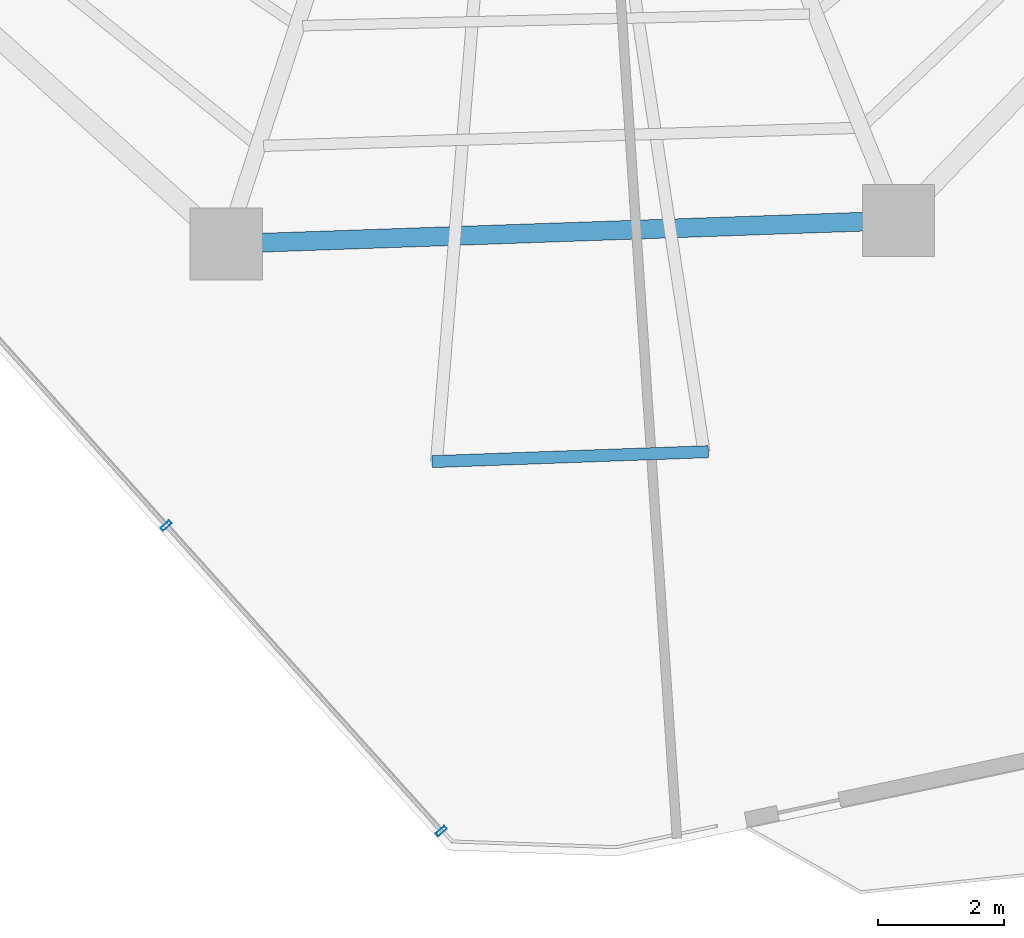
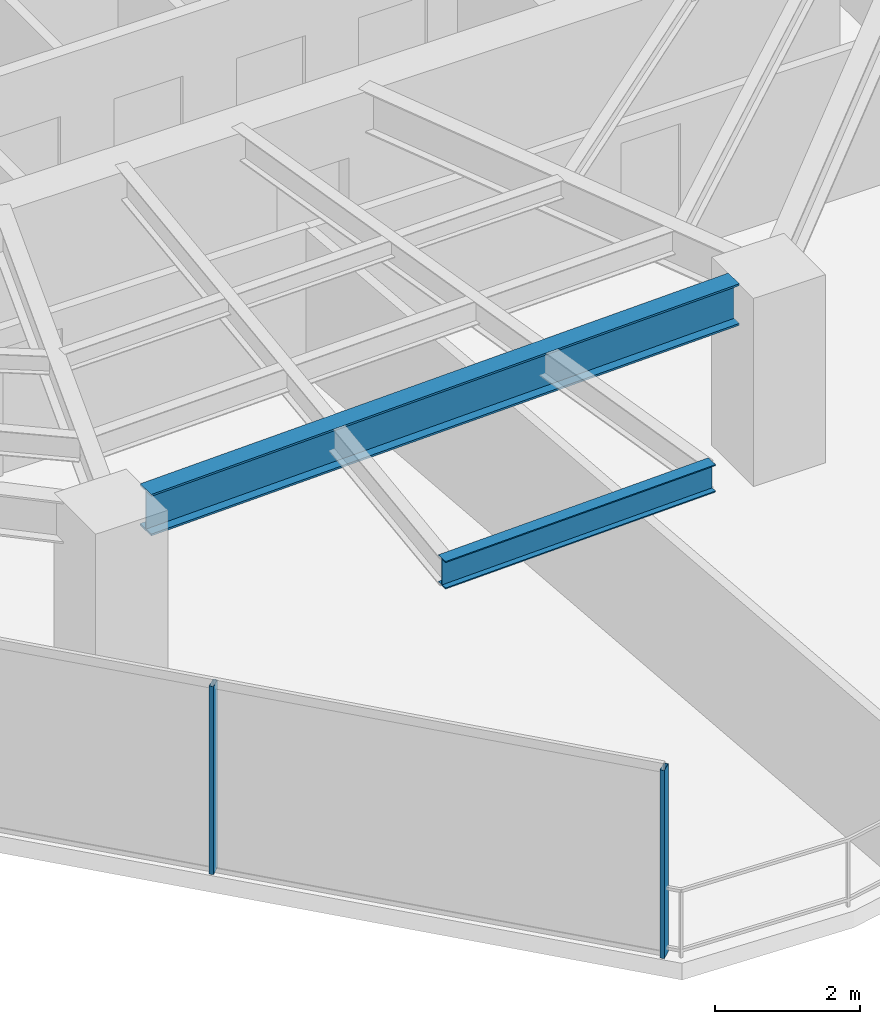
# One storey, part 5 of 27: 2 beams, 2 members, 1 element without a shape of its own.
"""IFC4 building model written with IfcOpenShell, lengths in metres."""

import ifcopenshell
import ifcopenshell.guid

model = None  # the IFC model being written
_history = None  # IfcOwnerHistory: only IFC2X3 demands one
_inside = {}  # id of a spatial element -> (the spatial element, [elements in it])
_under = {}  # id of a project, library or spatial element -> (it, [spatial elements below it])
_declared = {}  # id of a project -> (the project, [libraries it declares])
_typed = {}  # id of a type object -> (the type object, [elements of that type])
_made_of = {}  # id of a material, layer set ... -> (it, [elements and type objects made of it])


def new_model(schema):
    """Start an empty IFC model of exactly this schema.

    Asked for "IFC4X3", IfcOpenShell would pick the latest addendum, in which some entities
    have other attributes; the version numbers below select the first issue.
    IFC2X3 requires an IfcOwnerHistory on every rooted entity: one is made here for all.
    """
    global model, _history
    if schema == "IFC4X3":
        model = ifcopenshell.file(schema_version=(4, 3, 0, 0))
    else:
        model = ifcopenshell.file(schema=schema)
    _inside.clear()
    _under.clear()
    _declared.clear()
    _typed.clear()
    _made_of.clear()
    _history = None
    if model.schema == "IFC2X3":
        org = make("IfcOrganization", Name="unknown")
        user = make(
            "IfcPersonAndOrganization",
            ThePerson=make("IfcPerson", FamilyName="unknown"),
            TheOrganization=org,
        )
        app = make(
            "IfcApplication",
            ApplicationDeveloper=org,
            Version="unknown",
            ApplicationFullName="unknown",
            ApplicationIdentifier="unknown",
        )
        _history = make(
            "IfcOwnerHistory",
            OwningUser=user,
            OwningApplication=app,
            ChangeAction="ADDED",
            CreationDate=0,
        )
    return model


def make(cls, **values):
    """One entity of the class cls with the attributes given. An attribute that is None is left unset."""
    return model.create_entity(
        cls, **{name: value for name, value in values.items() if value is not None}
    )


def rooted(cls, **values):
    """An entity with a GlobalId (a new one), such as an element, a storey or a relation."""
    return make(cls, GlobalId=ifcopenshell.guid.new(), OwnerHistory=_history, **values)


def si_unit(unit_type, name, prefix=None):
    """IfcSIUnit, for example si_unit("LENGTHUNIT", "METRE", prefix="MILLI")."""
    return make("IfcSIUnit", UnitType=unit_type, Prefix=prefix, Name=name)


def assignment(units):
    """IfcUnitAssignment: the units of a project."""
    return None if units is None else make("IfcUnitAssignment", Units=units)


def point(xyz):
    """IfcCartesianPoint."""
    return None if xyz is None else make("IfcCartesianPoint", Coordinates=xyz)


def direction(xyz):
    """IfcDirection."""
    return None if xyz is None else make("IfcDirection", DirectionRatios=xyz)


def frame(location, z_axis=None, x_axis=None):
    """IfcAxis2Placement3D, a coordinate frame: its origin and axes. An axis left out is left unset."""
    return make(
        "IfcAxis2Placement3D",
        Location=point(location),
        Axis=direction(z_axis),
        RefDirection=direction(x_axis),
    )


def frame_2d(location, x_axis=None):
    """IfcAxis2Placement2D, a coordinate frame in the plane: its origin and x axis."""
    return make(
        "IfcAxis2Placement2D", Location=point(location), RefDirection=direction(x_axis)
    )


def origin():
    """The frame at (0, 0, 0) with its axes left unset."""
    return frame((0.0, 0.0, 0.0))


def origin_2d():
    """The frame at (0, 0) in the plane with its x axis left unset."""
    return frame_2d((0.0, 0.0))


def place(relative_to, where):
    """IfcLocalPlacement: puts the frame where relative to a parent placement (None: the world)."""
    return make(
        "IfcLocalPlacement", PlacementRelTo=relative_to, RelativePlacement=where
    )


def context(
    kind, dimensions, precision=None, world=None, true_north=None, identifier=None
):
    """IfcGeometricRepresentationContext, for example the 3D "Model" context."""
    return make(
        "IfcGeometricRepresentationContext",
        ContextIdentifier=identifier,
        ContextType=kind,
        CoordinateSpaceDimension=dimensions,
        Precision=precision,
        WorldCoordinateSystem=world,
        TrueNorth=true_north,
    )


def subcontext(parent, identifier, kind, view, scale=None):
    """IfcGeometricRepresentationSubContext, for example "Body" below "Model"."""
    return make(
        "IfcGeometricRepresentationSubContext",
        ContextIdentifier=identifier,
        ContextType=kind,
        ParentContext=parent,
        TargetScale=scale,
        TargetView=view,
    )


def project(units=None, contexts=None):
    """IfcProject with its units and contexts."""
    return rooted(
        "IfcProject",
        Name="project",
        RepresentationContexts=contexts,
        UnitsInContext=assignment(units),
    )


def spatial(cls, under=None, at=None, **own):
    """A site, building, storey or space (cls), placed at a placement, below another one or the project."""
    s = rooted(cls, ObjectPlacement=at, **own)
    if under is not None:
        _under.setdefault(under.id(), (under, []))[1].append(s)
    return s


def profile(cls, at=None, kind="AREA", **sizes):
    """A parametric profile (cls). Its sizes go by their IFC names, for example OverallWidth=200.0."""
    return make(cls, ProfileType=kind, Position=at, **sizes)


def hollow_rectangle(**sizes):
    """IfcRectangleHollowProfileDef."""
    return profile("IfcRectangleHollowProfileDef", **sizes)


def i_section(**sizes):
    """IfcIShapeProfileDef."""
    return profile("IfcIShapeProfileDef", **sizes)


def extrude(swept, where, along, depth):
    """IfcExtrudedAreaSolid: the profile swept, set in the frame where, extruded along a direction by depth."""
    return make(
        "IfcExtrudedAreaSolid",
        SweptArea=swept,
        Position=where,
        ExtrudedDirection=direction(along),
        Depth=depth,
    )


def shape(context_of_items, identifier, shape_type, items):
    """IfcShapeRepresentation: the items that make up one representation, for example the "Body"."""
    return make(
        "IfcShapeRepresentation",
        ContextOfItems=context_of_items,
        RepresentationIdentifier=identifier,
        RepresentationType=shape_type,
        Items=items,
    )


def material(Name=None, Category=None):
    """IfcMaterial."""
    return make("IfcMaterial", Name=Name, Category=Category)


def layer(
    of_material, thickness, ventilated=None, Name=None, Category=None, Priority=None
):
    """IfcMaterialLayer: one layer of a wall or slab, of a material (None: an air gap)."""
    return make(
        "IfcMaterialLayer",
        Material=of_material,
        LayerThickness=thickness,
        IsVentilated=ventilated,
        Name=Name,
        Category=Category,
        Priority=Priority,
    )


def layer_set(layers, Name=None):
    """IfcMaterialLayerSet."""
    return make("IfcMaterialLayerSet", MaterialLayers=layers, LayerSetName=Name)


def material_profile(
    of_material, cross_section, Name=None, Category=None, Priority=None
):
    """IfcMaterialProfile: a cross section and its material."""
    return make(
        "IfcMaterialProfile",
        Name=Name,
        Material=of_material,
        Profile=cross_section,
        Priority=Priority,
        Category=Category,
    )


def profile_set(profiles, Name=None, composite=None):
    """IfcMaterialProfileSet."""
    return make(
        "IfcMaterialProfileSet",
        Name=Name,
        MaterialProfiles=profiles,
        CompositeProfile=composite,
    )


def made_of(thing, what):
    """Note that an element or type object is made of a material, layer set ...; save() writes the relation."""
    if what is not None:
        _made_of.setdefault(what.id(), (what, []))[1].append(thing)
    return thing


def type_object(cls, material=None, **own):
    """A type object (cls), such as IfcWallType, which elements share."""
    return made_of(rooted(cls, **own), material)


def element(
    cls,
    number,
    at=None,
    inside=None,
    cuts=None,
    type_object=None,
    material=None,
    context=None,
    identifier="Body",
    shape_type=None,
    held_by="IfcProductDefinitionShape",
    body=None,
    shapes=None,
    **own,
):
    """One element of the class cls, such as IfcWall. Its Tag is "e" and its number.

    at: its placement. inside: the storey or other place that contains it. cuts: it is an
    opening in that element (IfcRelVoidsElement). A single representation is given by context,
    identifier, shape_type and body (its items); several are given by shapes. held_by: the class
    of the entity that holds the representations. save() writes the other relations.
    """
    e = rooted(cls, Tag="e%d" % number, ObjectPlacement=at, **own)
    if body is not None:
        shapes = [shape(context, identifier, shape_type, body)]
    if shapes is not None:
        e.Representation = make(held_by, Representations=shapes)
    if inside is not None:
        _inside.setdefault(inside.id(), (inside, []))[1].append(e)
    if cuts is not None:
        rooted(
            "IfcRelVoidsElement", RelatingBuildingElement=cuts, RelatedOpeningElement=e
        )
    if type_object is not None:
        _typed.setdefault(type_object.id(), (type_object, []))[1].append(e)
    return made_of(e, material)


def aggregate(whole, parts):
    """IfcRelAggregates: a whole, such as a stair, and the parts it consists of."""
    return rooted("IfcRelAggregates", RelatingObject=whole, RelatedObjects=parts)


def save(model, path):
    """Write the relations noted so far, then the file.

    IfcRelAggregates (storeys below a building ...), IfcRelContainedInSpatialStructure (elements
    in a storey), IfcRelDefinesByType, IfcRelAssociatesMaterial and IfcRelDeclares: one each for
    every whole, place, type object, material and project.
    """
    for whole, parts in _under.values():
        aggregate(whole, parts)
    for where, things in _inside.values():
        rooted(
            "IfcRelContainedInSpatialStructure",
            RelatedElements=things,
            RelatingStructure=where,
        )
    for kind, things in _typed.values():
        rooted("IfcRelDefinesByType", RelatedObjects=things, RelatingType=kind)
    for what, things in _made_of.values():
        rooted("IfcRelAssociatesMaterial", RelatedObjects=things, RelatingMaterial=what)
    for by, libraries in _declared.values():
        rooted("IfcRelDeclares", RelatingContext=by, RelatedDefinitions=libraries)
    model.write(path)


model = new_model("IFC4")

# Units and contexts
model_context = context("Model", 3, precision=1e-05, world=origin(), true_north=direction((0.0, 1.0)))
body_context = subcontext(model_context, "Body", "Model", "MODEL_VIEW")
ifc_project = project(units=[si_unit("LENGTHUNIT", "METRE"), si_unit("AREAUNIT", "SQUARE_METRE"), si_unit("VOLUMEUNIT", "CUBIC_METRE"), si_unit("PLANEANGLEUNIT", "RADIAN"), si_unit("MASSUNIT", "GRAM", prefix="KILO")], contexts=[model_context])

# Site, building, storey
site_placement = place(None, origin())
site = spatial("IfcSite", under=ifc_project, at=site_placement, CompositionType="ELEMENT")
building_placement = place(site_placement, origin())
building = spatial("IfcBuilding", under=site, at=building_placement, Name="Qarnah Convention Tower", CompositionType="ELEMENT")
storey_placement = place(building_placement, frame((0.0, 0.0, 110.85009765625)))
storey = spatial("IfcBuildingStorey", under=building, at=storey_placement, Name="L29", CompositionType="ELEMENT", Elevation=110.85009765625)

# Beams
ifc_material_1 = material(Name="Structural steel S355JR", Category="steel")
ifc_material_profile_1 = material_profile(ifc_material_1, i_section(OverallWidth=0.19189453125, OverallDepth=0.464111328125, WebThickness=0.010986328125, FlangeThickness=0.01806640625, at=origin_2d()), Name="W460X89")
ifc_profile_set_1 = profile_set([ifc_material_profile_1], Name="Structural steel S355JR")
beam_type_1 = type_object("IfcBeamType", Name="BM-CANT-W460A", PredefinedType="BEAM", material=ifc_profile_set_1)
beam_1_placement = place(storey_placement, frame((40.035888671875, 8.2109375, 2.93798828125), z_axis=(-0.999347061952, -0.036131008404, 0.0), x_axis=(0.036131008404, -0.999347061952, 0.0)))
element("IfcBeam", 1, at=beam_1_placement, inside=storey, type_object=beam_type_1, Name="L29 spandrel BM-L29-CTIE-03", PredefinedType="SPANDREL", context=body_context, shape_type="SweptSolid", body=[
    extrude(i_section(OverallWidth=0.19189453125, OverallDepth=0.464111328125, WebThickness=0.010986328125, FlangeThickness=0.01806640625, at=origin_2d()), origin(), (0.0, 0.0, 1.0), 4.39892578125),
])
ifc_material_profile_2 = material_profile(ifc_material_1, i_section(OverallWidth=0.300048828125, OverallDepth=0.699951171875, WebThickness=0.01708984375, FlangeThickness=0.031982421875, at=origin_2d()), Name="HEB700")
ifc_profile_set_2 = profile_set([ifc_material_profile_2], Name="Structural steel S355JR")
beam_type_2 = type_object("IfcBeamType", Name="BM-RING-HEB700", PredefinedType="BEAM", material=ifc_profile_set_2)
beam_2_placement = place(storey_placement, frame((32.928955078125, 11.535888671875, 2.81982421875), z_axis=(0.999390577592, 0.03490663862, 0.0), x_axis=(-0.03490663862, 0.999390577592, 0.0)))
element("IfcBeam", 2, at=beam_2_placement, inside=storey, type_object=beam_type_2, Name="L29 beam BM-L29-SPN-07", PredefinedType="BEAM", context=body_context, shape_type="SweptSolid", body=[
    extrude(i_section(OverallWidth=0.300048828125, OverallDepth=0.699951171875, WebThickness=0.01708984375, FlangeThickness=0.031982421875, at=origin_2d()), origin(), (0.0, 0.0, 1.0), 9.574951171875),
])

# Curtain wall, members
ifc_material_2 = material(Name="Tempered Low-E dark glass", Category="glass")
ifc_layer = layer(ifc_material_2, 0.169921875)
ifc_layer_set = layer_set([ifc_layer], Name="Tempered Low-E dark glass")
curtain_wall_type = type_object("IfcCurtainWallType", Name="CWS-02", PredefinedType="NOTDEFINED", material=ifc_layer_set)
curtain_wall_placement = place(storey_placement, origin())
curtain_wall = element("IfcCurtainWall", 3, at=curtain_wall_placement, inside=storey, type_object=curtain_wall_type, Name="L29 unitised curtain wall CW-L29-F3", PredefinedType="NOTDEFINED")
ifc_material_3 = material(Name="Black anodised aluminium", Category="aluminium")
ifc_material_profile_3 = material_profile(ifc_material_3, hollow_rectangle(XDim=0.06494140625, YDim=0.179931640625, WallThickness=0.00390625, at=origin_2d()), Name="MUL-65X180")
ifc_profile_set_3 = profile_set([ifc_material_profile_3], Name="Black anodised aluminium")
member_type = type_object("IfcMemberType", Name="MUL-T2", PredefinedType="MULLION", material=ifc_profile_set_3)
member_1_placement = place(storey_placement, frame((35.785888671875, 2.173095703125, 0.0), z_axis=(0.0, 0.0, 1.0), x_axis=(-0.669121773521, 0.743152778505, 0.0)))
member_1 = element("IfcMember", 4, at=member_1_placement, type_object=member_type, Name="CW-L29-F3 mullion 1", PredefinedType="MULLION", context=body_context, shape_type="SweptSolid", body=[
    extrude(hollow_rectangle(XDim=0.06494140625, YDim=0.179931640625, WallThickness=0.00390625, at=origin_2d()), origin(), (0.0, 0.0, 1.0), 3.169921875),
])
member_2_placement = place(storey_placement, frame((31.40771484375, 7.03564453125, 0.0), z_axis=(0.0, 0.0, 1.0), x_axis=(-0.669121773521, 0.743152778505, 0.0)))
member_2 = element("IfcMember", 5, at=member_2_placement, type_object=member_type, Name="CW-L29-F3 mullion 2", PredefinedType="MULLION", context=body_context, shape_type="SweptSolid", body=[
    extrude(hollow_rectangle(XDim=0.06494140625, YDim=0.179931640625, WallThickness=0.00390625, at=origin_2d()), origin(), (0.0, 0.0, 1.0), 3.169921875),
])
aggregate(curtain_wall, [member_1, member_2])

save(model, "model.ifc")
